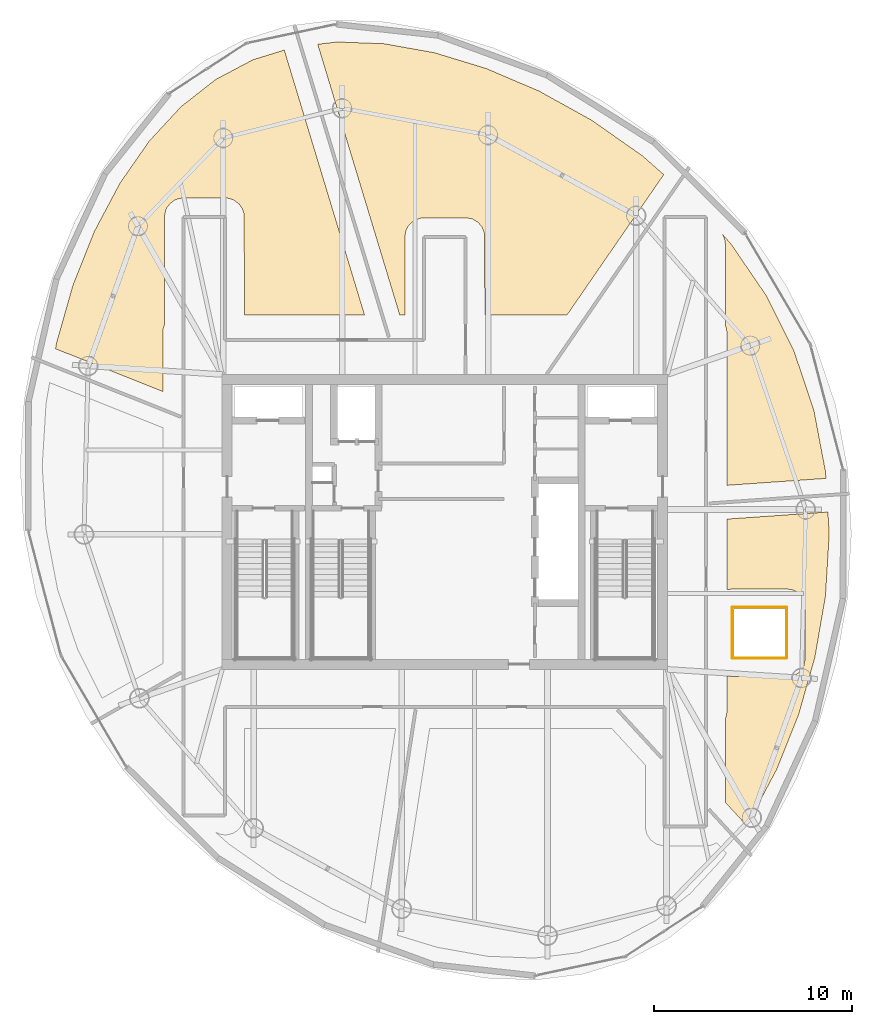
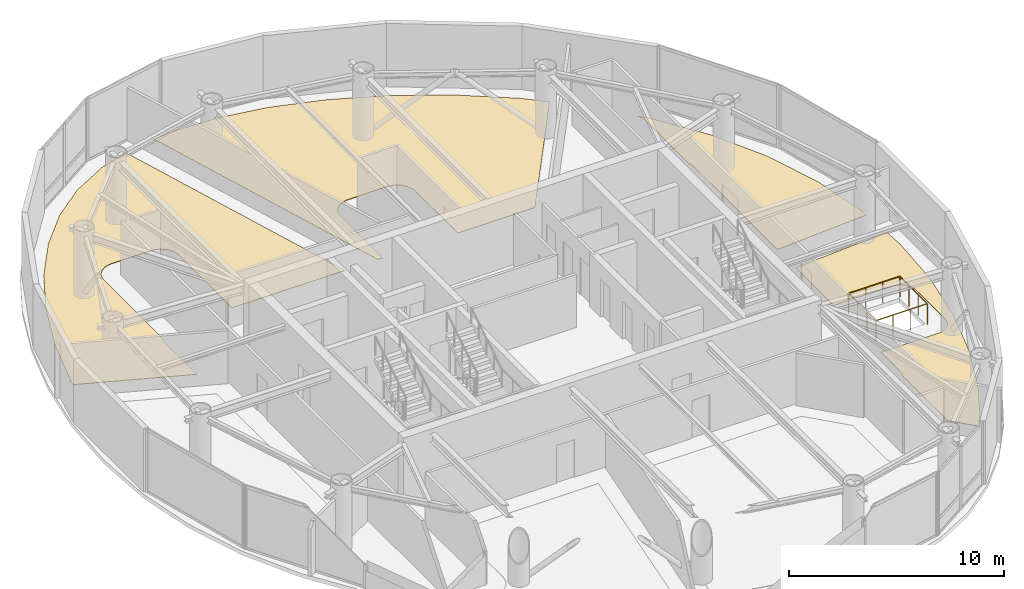
# One storey, part 20 of 20: 4 coverings, 4 railings.
"""IFC4 building model written with IfcOpenShell, lengths in metres."""

from ifc_helpers import new_model, si_unit, direction, frame, origin, origin_2d, place, context, subcontext, project, spatial, polyline, circle, outline, extrude, material, layer, layer_set, type_object, element, save


model = new_model("IFC4")

# Units and contexts
model_context = context("Model", 3, precision=1e-05, world=origin(), true_north=direction((0.0, 1.0)))
body_context = subcontext(model_context, "Body", "Model", "MODEL_VIEW")
ifc_project = project(units=[si_unit("LENGTHUNIT", "METRE"), si_unit("AREAUNIT", "SQUARE_METRE"), si_unit("VOLUMEUNIT", "CUBIC_METRE"), si_unit("PLANEANGLEUNIT", "RADIAN"), si_unit("MASSUNIT", "GRAM", prefix="KILO")], contexts=[model_context])

# Site, building, storey
site_placement = place(None, origin())
site = spatial("IfcSite", under=ifc_project, at=site_placement, CompositionType="ELEMENT")
building_placement = place(site_placement, origin())
building = spatial("IfcBuilding", under=site, at=building_placement, Name="Bramvorn Convention Spire", CompositionType="ELEMENT")
storey_placement = place(building_placement, frame((0.0, 0.0, 303.64990234375)))
storey = spatial("IfcBuildingStorey", under=building, at=storey_placement, Name="L77", CompositionType="ELEMENT", Elevation=303.64990234375)

# Coverings
ifc_material_1 = material(Name="Honed Dolomitic Limestone Terrazzo Flooring", Category="masonry")
ifc_layer = layer(ifc_material_1, 0.02490234375)
ifc_layer_set = layer_set([ifc_layer], Name="Honed Dolomitic Limestone Terrazzo Flooring - FLR-TERRAZZO-25")
covering_type = type_object("IfcCoveringType", Name="FLR-TERRAZZO-25", PredefinedType="FLOORING", material=ifc_layer_set)
covering_1_placement = place(storey_placement, origin())
element("IfcCovering", 1, at=covering_1_placement, inside=storey, type_object=covering_type, Name="L77 Signature Sky Dining Restaurant 1 1 raised floor finish", PredefinedType="FLOORING", context=body_context, shape_type="SweptSolid", body=[
    extrude(outline(polyline([(52.135498046875, 40.287841796875), (52.1689453125, 40.07666015625), (52.169921875, 35.95751953125), (52.233642578125, 35.765869140625), (52.25, 35.60009765625), (52.25, 27.848388671875), (57.2568359375, 28.198486328125), (57.236328125, 28.543701171875), (56.646484375, 31.6435546875), (55.644287109375, 34.625732421875), (54.239013671875, 37.44091796875), (52.4599609375, 40.046875), (52.035888671875, 40.522705078125), (52.135498046875, 40.287841796875)])), origin(), (0.0, 0.0, 1.0), 0.025146484375),
])
covering_2_placement = place(storey_placement, origin())
element("IfcCovering", 2, at=covering_2_placement, inside=storey, type_object=covering_type, Name="L77 Private Champagne Dining Salon 2 2 raised floor finish", PredefinedType="FLOORING", context=body_context, shape_type="SweptSolid", body=[
    extrude(outline(polyline([(32.550537109375, 50.25439453125), (31.574951171875, 50.13525390625), (35.7216796875, 36.449951171875), (35.97998046875, 36.449951171875), (35.98095703125, 40.441650390625), (36.034912109375, 40.72119140625), (36.16748046875, 40.972900390625), (36.4462890625, 41.228759765625), (36.8134765625, 41.360107421875), (39.050048828125, 41.3701171875), (39.38232421875, 41.311279296875), (39.697021484375, 41.12255859375), (39.885009765625, 40.8935546875), (40.008544921875, 40.548095703125), (40.02001953125, 36.449951171875), (44.1689453125, 36.449951171875), (49.06103515625, 43.549072265625), (47.9853515625, 44.498046875), (45.430419921875, 46.290283203125), (42.771484375, 47.7666015625), (40.08837890625, 48.912109375), (37.4541015625, 49.714111328125), (34.927734375, 50.163330078125), (32.550537109375, 50.25439453125)])), origin(), (0.0, 0.0, 1.0), 0.025146484375),
])
covering_3_placement = place(storey_placement, origin())
element("IfcCovering", 3, at=covering_3_placement, inside=storey, type_object=covering_type, Name="L77 Sunset Cocktail Dining Lounge 3 3 raised floor finish", PredefinedType="FLOORING", context=body_context, shape_type="SweptSolid", body=[
    extrude(outline(polyline([(18.382568359375, 35.058837890625), (18.328857421875, 34.748779296875), (23.75, 32.58984375), (23.75, 35.60009765625), (23.766357421875, 35.765869140625), (23.830078125, 35.95751953125), (23.830078125, 41.39990234375), (23.885009765625, 41.72119140625), (23.97119140625, 41.90380859375), (24.144287109375, 42.11474609375), (24.3798828125, 42.274169921875), (24.570068359375, 42.34228515625), (24.800048828125, 42.3701171875), (27.03662109375, 42.360107421875), (27.320068359375, 42.274169921875), (27.61474609375, 42.0556640625), (27.774169921875, 41.820068359375), (27.860107421875, 41.53662109375), (27.8701171875, 36.449951171875), (33.9453125, 36.449951171875), (29.88720703125, 49.843505859375), (28.302978515625, 49.35302734375), (26.415771484375, 48.35400390625), (24.666259765625, 46.98046875), (23.052734375, 45.232421875), (21.587646484375, 43.125732421875), (20.29638671875, 40.693603515625), (19.2138671875, 37.984619140625), (18.382568359375, 35.058837890625)])), origin(), (0.0, 0.0, 1.0), 0.025146484375),
])
covering_4_placement = place(storey_placement, origin())
element("IfcCovering", 4, at=covering_4_placement, inside=storey, type_object=covering_type, Name="L77 Observatory Private Salon 7 raised floor finish", PredefinedType="FLOORING", context=body_context, shape_type="SweptSolid", body=[
    extrude(outline(polyline([(52.25, 16.39990234375), (52.233642578125, 16.234130859375), (52.169921875, 16.04248046875), (52.169921875, 11.831298828125), (53.21533203125, 10.693115234375), (53.491943359375, 11.0908203125), (54.783203125, 13.52294921875), (55.86572265625, 16.231689453125), (56.697021484375, 19.15771484375), (57.230712890625, 22.232421875), (57.423095703125, 25.384521484375), (57.35693359375, 26.50146484375), (52.25, 26.144287109375), (52.25, 22.5751953125), (52.449951171875, 22.60009765625), (55.35009765625, 22.60009765625), (55.5966796875, 22.5634765625), (55.88916015625, 22.406982421875), (56.099609375, 22.150634765625), (56.19580078125, 21.833251953125), (56.199951171875, 19.050048828125), (56.13525390625, 18.724609375), (56.007080078125, 18.5107421875), (55.822265625, 18.34326171875), (55.515869140625, 18.21630859375), (52.449951171875, 18.199951171875), (52.25, 18.224853515625), (52.25, 16.39990234375)])), origin(), (0.0, 0.0, 1.0), 0.025146484375),
])

# Railings
ifc_material_2 = material(Name="Warm Bronze Perforated Metal & Glass Balustrade", Category="glass")
railing_type = type_object("IfcRailingType", Name="RL-POD-BALUSTRADE-1200", PredefinedType="BALUSTRADE", material=ifc_material_2)
railing_1_placement = place(storey_placement, frame((52.52001953125, 19.1201171875, 0.0)))
element("IfcRailing", 5, at=railing_1_placement, inside=storey, type_object=railing_type, Name="L77 Feature atrium void balustrade 1", PredefinedType="BALUSTRADE", context=body_context, shape_type="SweptSolid", body=[
    extrude(circle(Radius=0.02392578125, at=origin_2d()), frame((0.0, 0.0, 1.17578125), z_axis=(1.0, 0.0, 0.0), x_axis=(0.0, 1.0, 0.0)), (0.0, 0.0, 1.0), 2.760009765625),
    extrude(circle(Radius=0.02099609375, at=origin_2d()), origin(), (0.0, 0.0, 1.0), 1.15185546875),
    extrude(circle(Radius=0.02099609375, at=origin_2d()), frame((0.919921875, 0.0, 0.0)), (0.0, 0.0, 1.0), 1.15185546875),
    extrude(circle(Radius=0.02099609375, at=origin_2d()), frame((1.840087890625, 0.0, 0.0)), (0.0, 0.0, 1.0), 1.15185546875),
    extrude(circle(Radius=0.02099609375, at=origin_2d()), frame((2.760009765625, 0.0, 0.0)), (0.0, 0.0, 1.0), 1.15185546875),
])
railing_2_placement = place(storey_placement, frame((55.280029296875, 19.1201171875, 0.0)))
element("IfcRailing", 6, at=railing_2_placement, inside=storey, type_object=railing_type, Name="L77 Feature atrium void balustrade 2", PredefinedType="BALUSTRADE", context=body_context, shape_type="SweptSolid", body=[
    extrude(circle(Radius=0.02392578125, at=origin_2d()), frame((0.0, 0.0, 1.17578125), z_axis=(0.0, 1.0, 0.0), x_axis=(-1.0, 0.0, 0.0)), (0.0, 0.0, 1.0), 2.559814453125),
    extrude(circle(Radius=0.02099609375, at=origin_2d()), origin(), (0.0, 0.0, 1.0), 1.15185546875),
    extrude(circle(Radius=0.02099609375, at=origin_2d()), frame((0.0, 0.853271484375, 0.0)), (0.0, 0.0, 1.0), 1.15185546875),
    extrude(circle(Radius=0.02099609375, at=origin_2d()), frame((0.0, 1.70654296875, 0.0)), (0.0, 0.0, 1.0), 1.15185546875),
    extrude(circle(Radius=0.02099609375, at=origin_2d()), frame((0.0, 2.559814453125, 0.0)), (0.0, 0.0, 1.0), 1.15185546875),
])
railing_3_placement = place(storey_placement, frame((55.280029296875, 21.679931640625, 0.0)))
element("IfcRailing", 7, at=railing_3_placement, inside=storey, type_object=railing_type, Name="L77 Feature atrium void balustrade 3", PredefinedType="BALUSTRADE", context=body_context, shape_type="SweptSolid", body=[
    extrude(circle(Radius=0.02392578125, at=origin_2d()), frame((0.0, 0.0, 1.17578125), z_axis=(-1.0, 0.0, 0.0), x_axis=(0.0, -1.0, 0.0)), (0.0, 0.0, 1.0), 2.760009765625),
    extrude(circle(Radius=0.02099609375, at=origin_2d()), origin(), (0.0, 0.0, 1.0), 1.15185546875),
    extrude(circle(Radius=0.02099609375, at=origin_2d()), frame((-0.919921875, 0.0, 0.0)), (0.0, 0.0, 1.0), 1.15185546875),
    extrude(circle(Radius=0.02099609375, at=origin_2d()), frame((-1.840087890625, 0.0, 0.0)), (0.0, 0.0, 1.0), 1.15185546875),
    extrude(circle(Radius=0.02099609375, at=origin_2d()), frame((-2.760009765625, 0.0, 0.0)), (0.0, 0.0, 1.0), 1.15185546875),
])
railing_4_placement = place(storey_placement, frame((52.52001953125, 21.679931640625, 0.0)))
element("IfcRailing", 8, at=railing_4_placement, inside=storey, type_object=railing_type, Name="L77 Feature atrium void balustrade 4", PredefinedType="BALUSTRADE", context=body_context, shape_type="SweptSolid", body=[
    extrude(circle(Radius=0.02392578125, at=origin_2d()), frame((0.0, 0.0, 1.17578125), z_axis=(0.0, -1.0, 0.0), x_axis=(1.0, 0.0, 0.0)), (0.0, 0.0, 1.0), 2.559814453125),
    extrude(circle(Radius=0.02099609375, at=origin_2d()), origin(), (0.0, 0.0, 1.0), 1.15185546875),
    extrude(circle(Radius=0.02099609375, at=origin_2d()), frame((0.0, -0.853271484375, 0.0)), (0.0, 0.0, 1.0), 1.15185546875),
    extrude(circle(Radius=0.02099609375, at=origin_2d()), frame((0.0, -1.70654296875, 0.0)), (0.0, 0.0, 1.0), 1.15185546875),
    extrude(circle(Radius=0.02099609375, at=origin_2d()), frame((0.0, -2.559814453125, 0.0)), (0.0, 0.0, 1.0), 1.15185546875),
])

save(model, "model.ifc")
